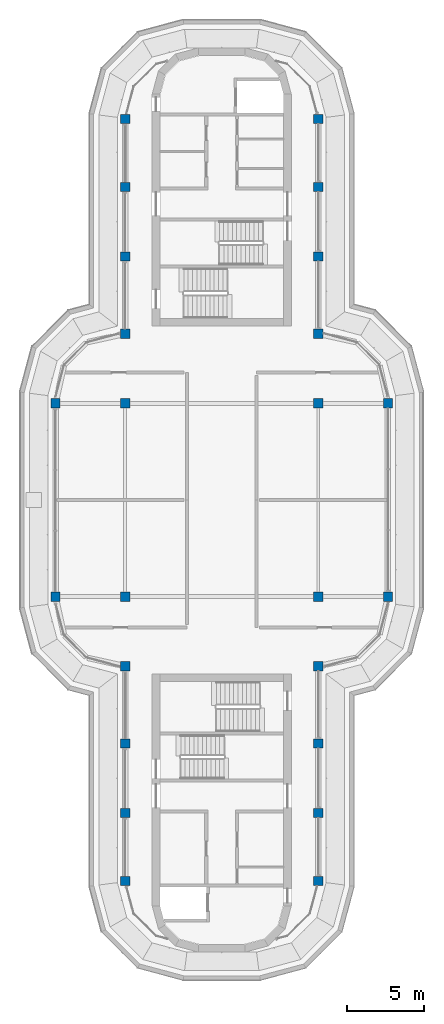
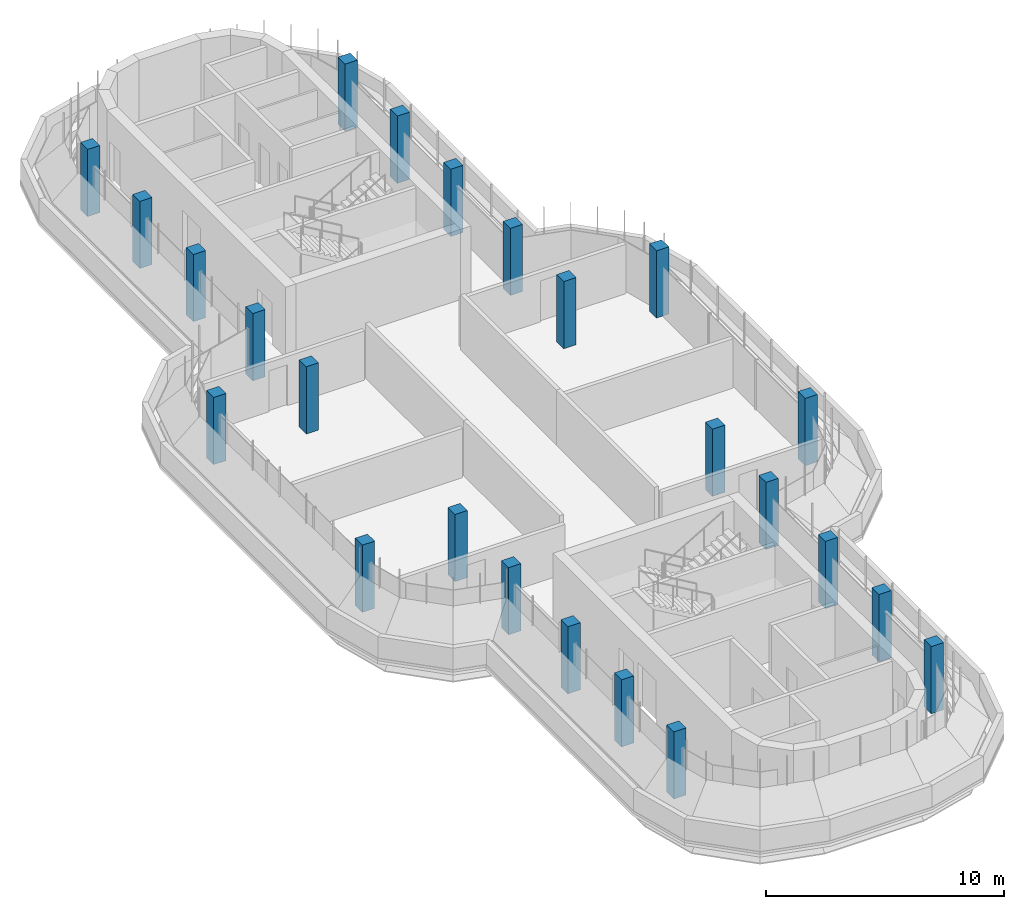
# One storey, part 1 of 13: 24 columns.
"""IFC4 building model written with IfcOpenShell, lengths in metres."""

from ifc_helpers import new_model, si_unit, direction, frame, origin, origin_2d, place, context, subcontext, project, spatial, rectangle, extrude, material, material_profile, profile_set, type_object, element, save


model = new_model("IFC4")

# Units and contexts
model_context = context("Model", 3, precision=1e-05, world=origin(), true_north=direction((0.0, 1.0)))
body_context = subcontext(model_context, "Body", "Model", "MODEL_VIEW")
ifc_project = project(units=[si_unit("LENGTHUNIT", "METRE"), si_unit("AREAUNIT", "SQUARE_METRE"), si_unit("VOLUMEUNIT", "CUBIC_METRE"), si_unit("PLANEANGLEUNIT", "RADIAN"), si_unit("MASSUNIT", "GRAM", prefix="KILO")], contexts=[model_context])

# Site, building, storey
site_placement = place(None, origin())
site = spatial("IfcSite", under=ifc_project, at=site_placement, CompositionType="ELEMENT")
building_placement = place(site_placement, origin())
building = spatial("IfcBuilding", under=site, at=building_placement, Name="Zarbagh Exchange Tower", CompositionType="ELEMENT")
storey_placement = place(building_placement, frame((0.0, 0.0, 302.39990234375)))
storey = spatial("IfcBuildingStorey", under=building, at=storey_placement, Name="L74", CompositionType="ELEMENT", Elevation=302.39990234375)

# Columns
ifc_material = material(Name="Concrete C40/50", Category="concrete")
ifc_material_profile = material_profile(ifc_material, rectangle(XDim=0.60009765625, YDim=0.60009765625, at=origin_2d()), Name="RC column 600 x 600 C40/50")
ifc_profile_set = profile_set([ifc_material_profile], Name="Concrete C40/50")
column_type = type_object("IfcColumnType", Name="RC column 600 x 600 C40/50", PredefinedType="COLUMN", material=ifc_profile_set)
for number, where, z_axis, x_axis, name in (
    (1, (-10.75, -6.25, 0.0), (0.0, 0.0, 1.0), (1.0, 0.0, 0.0), "C6 15/R"),
    (2, (-10.75, 6.25, 0.0), (0.0, 0.0, 1.0), (1.0, 0.0, 0.0), "C6 15/U"),
    (3, (-6.25, -24.64990234375, 0.0), (0.0, 0.0, 1.0), (1.0, 0.0, 0.0), "C6 16/M"),
    (4, (-6.25, -20.25, 0.0), (0.0, 0.0, 1.0), (1.0, 0.0, 0.0), "C6 16/N"),
    (5, (-6.25, -15.75, 0.0), (0.0, 0.0, 1.0), (1.0, 0.0, 0.0), "C6 16/P"),
    (6, (-6.25, -10.75, 0.0), (0.0, 0.0, 1.0), (1.0, 0.0, 0.0), "C6 16/Q"),
    (7, (-6.25, -6.25, 0.0), (0.0, 0.0, 1.0), (1.0, 0.0, 0.0), "C6 16/R"),
    (8, (-6.25, 6.25, 0.0), (0.0, 0.0, 1.0), (1.0, 0.0, 0.0), "C6 16/U"),
    (9, (-6.25, 10.75, 0.0), (0.0, 0.0, 1.0), (1.0, 0.0, 0.0), "C6 16/V"),
    (10, (-6.25, 15.75, 0.0), (0.0, 0.0, 1.0), (1.0, 0.0, 0.0), "C6 16/W"),
    (11, (-6.25, 20.25, 0.0), (0.0, 0.0, 1.0), (1.0, 0.0, 0.0), "C6 16/X"),
    (12, (-6.25, 24.64990234375, 0.0), (0.0, 0.0, 1.0), (1.0, 0.0, 0.0), "C6 16/Y"),
    (13, (6.25, -24.64990234375, 0.0), (0.0, 0.0, 1.0), (1.0, 0.0, 0.0), "C6 19/M"),
    (14, (6.25, -20.25, 0.0), (0.0, 0.0, 1.0), (1.0, 0.0, 0.0), "C6 19/N"),
    (15, (6.25, -15.75, 0.0), (0.0, 0.0, 1.0), (1.0, 0.0, 0.0), "C6 19/P"),
    (16, (6.25, -10.75, 0.0), (0.0, 0.0, 1.0), (1.0, 0.0, 0.0), "C6 19/Q"),
    (17, (6.25, -6.25, 0.0), (0.0, 0.0, 1.0), (1.0, 0.0, 0.0), "C6 19/R"),
    (18, (6.25, 6.25, 0.0), (0.0, 0.0, 1.0), (1.0, 0.0, 0.0), "C6 19/U"),
    (19, (6.25, 10.75, 0.0), (0.0, 0.0, 1.0), (1.0, 0.0, 0.0), "C6 19/V"),
    (20, (6.25, 15.75, 0.0), (0.0, 0.0, 1.0), (1.0, 0.0, 0.0), "C6 19/W"),
    (21, (6.25, 20.25, 0.0), (0.0, 0.0, 1.0), (1.0, 0.0, 0.0), "C6 19/X"),
    (22, (6.25, 24.64990234375, 0.0), (0.0, 0.0, 1.0), (1.0, 0.0, 0.0), "C6 19/Y"),
    (23, (10.75, -6.25, 0.0), (0.0, 0.0, 1.0), (1.0, 0.0, 0.0), "C6 20/R"),
    (24, (10.75, 6.25, 0.0), (0.0, 0.0, 1.0), (1.0, 0.0, 0.0), "C6 20/U"),
):
    element("IfcColumn", number, at=place(storey_placement, frame(where, z_axis=z_axis, x_axis=x_axis)), inside=storey, type_object=column_type, Name=name, PredefinedType="COLUMN", context=body_context, shape_type="SweptSolid", body=[
        extrude(rectangle(XDim=0.60009765625, YDim=0.60009765625, at=origin_2d()), origin(), (0.0, 0.0, 1.0), 3.4501953125),
    ])

save(model, "model.ifc")
